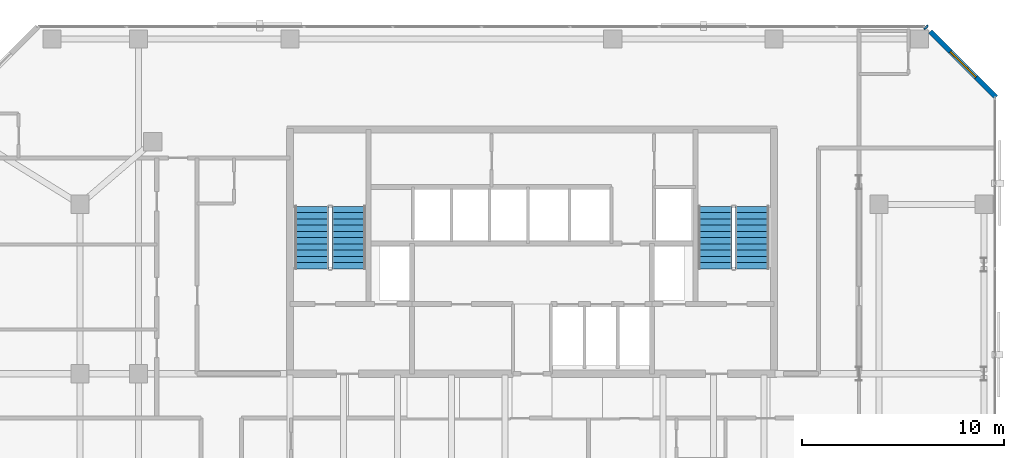
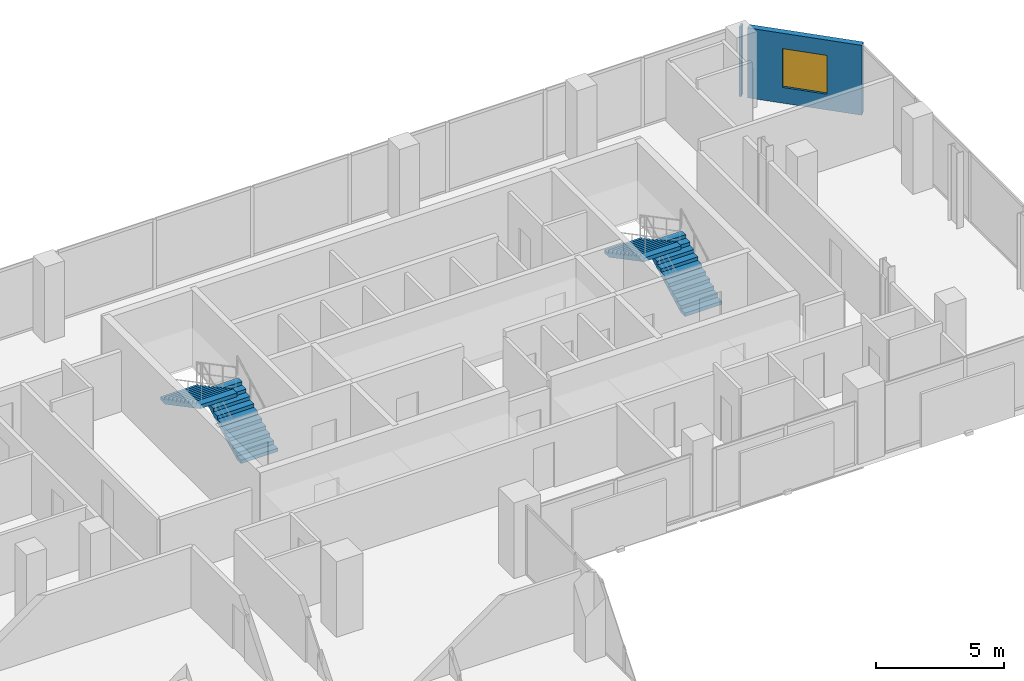
# One storey, part 31 of 34: 4 stair flights, 2 walls, 1 window, 1 opening, 2 elements without a shape of their own.
"""IFC4 building model written with IfcOpenShell, lengths in metres."""

from ifc_helpers import new_model, si_unit, direction, frame, frame_2d, origin, place, context, subcontext, project, spatial, polyline, rectangle, outline, extrude, material, layer, layer_set, type_object, element, fill, aggregate, save


model = new_model("IFC4")

# Units and contexts
model_context = context("Model", 3, precision=1e-05, world=origin(), true_north=direction((0.0, 1.0)))
body_context = subcontext(model_context, "Body", "Model", "MODEL_VIEW")
ifc_project = project(units=[si_unit("LENGTHUNIT", "METRE"), si_unit("AREAUNIT", "SQUARE_METRE"), si_unit("VOLUMEUNIT", "CUBIC_METRE"), si_unit("PLANEANGLEUNIT", "RADIAN"), si_unit("MASSUNIT", "GRAM", prefix="KILO")], contexts=[model_context])

# Site, building, storey
site_placement = place(None, origin())
site = spatial("IfcSite", under=ifc_project, at=site_placement, CompositionType="ELEMENT")
building_placement = place(site_placement, origin())
building = spatial("IfcBuilding", under=site, at=building_placement, Name="Catumbela Crestline Tower", CompositionType="ELEMENT")
storey_placement = place(building_placement, frame((0.0, 0.0, 115.2)))
storey = spatial("IfcBuildingStorey", under=building, at=storey_placement, Name="L29", CompositionType="ELEMENT", Elevation=115.2)

# Wall, opening, window
ifc_material_1 = material(Name="Angolan grey-ochre granite", Category="masonry")
ifc_layer = layer(ifc_material_1, 0.25, Name="Angolan grey-ochre granite")
ifc_layer_set = layer_set([ifc_layer], Name="Angolan grey-ochre granite")
wall_type = type_object("IfcWallType", Name="WE-250", PredefinedType="STANDARD", material=ifc_layer_set)
wall_1_placement = place(storey_placement, frame((51.0, 44.5, 0.0), z_axis=(0.0, 0.0, 1.0), x_axis=(-0.707106781187, 0.707106781187, 0.0)))
wall_1 = element("IfcWall", 1, at=wall_1_placement, inside=storey, type_object=wall_type, Name="L29 Granite Punched Window Wall 6-1", PredefinedType="STANDARD", context=body_context, shape_type="SweptSolid", body=[
    extrude(rectangle(XDim=4.6126, YDim=0.25, at=frame_2d((2.3063, 0.0))), origin(), (0.0, 0.0, 1.0), 3.33),
])
opening_placement = place(wall_1_placement, frame((1.4063, 0.0, 0.75)))
opening = element("IfcOpeningElement", 2, at=opening_placement, cuts=wall_1, Name="Opening WN-01", PredefinedType="OPENING", context=body_context, shape_type="SweptSolid", body=[
    extrude(rectangle(XDim=1.8, YDim=1.85, at=frame_2d((0.9, 0.925))), frame((0.0, 0.135, 0.0), z_axis=(0.0, -1.0, 0.0), x_axis=(1.0, 0.0, 0.0)), (0.0, 0.0, 1.0), 0.27),
])
ifc_material_2 = material(Name="Low-E laminated solar-control double glazing", Category="glass")
window_type = type_object("IfcWindowType", Name="WF-1800", PartitioningType="SINGLE_PANEL", PredefinedType="WINDOW", material=ifc_material_2)
window_placement = place(opening_placement, origin())
window = element("IfcWindow", 3, at=window_placement, inside=storey, type_object=window_type, Name="L29 Facade Vision Window 167", OverallHeight=1.85, OverallWidth=1.8, PartitioningType="SINGLE_PANEL", PredefinedType="WINDOW", context=body_context, shape_type="SweptSolid", body=[
    extrude(rectangle(XDim=1.8, YDim=1.85, at=frame_2d((0.9, 0.925))), frame((0.0, 0.03, 0.0), z_axis=(0.0, -1.0, 0.0), x_axis=(1.0, 0.0, 0.0)), (0.0, 0.0, 1.0), 0.06),
])
fill(opening, window)

# Wall
wall_2_placement = place(storey_placement, frame((47.5616, 47.9384, 0.0), z_axis=(0.0, 0.0, 1.0), x_axis=(-0.707106781187, 0.707106781187, 0.0)))
element("IfcWall", 4, at=wall_2_placement, inside=storey, type_object=wall_type, Name="L29 Granite Punched Window Wall 6-2", PredefinedType="STANDARD", context=body_context, shape_type="SweptSolid", body=[
    extrude(rectangle(XDim=0.0871, YDim=0.25, at=frame_2d((0.0436, 0.0))), origin(), (0.0, 0.0, 1.0), 3.33),
])

# Stair, stair flights
ifc_material_3 = material(Name="Concrete C45/55", Category="concrete")
stair_type = type_object("IfcStairType", Name="ST-DLG", PredefinedType="HALF_TURN_STAIR", material=ifc_material_3)
stair_1_placement = place(storey_placement, origin())
stair_1 = element("IfcStair", 5, at=stair_1_placement, inside=storey, type_object=stair_type, Name="L29 West Core Pressurised Exit Stair ST-01", PredefinedType="HALF_TURN_STAIR")
stair_flight_type = type_object("IfcStairFlightType", Name="SF-1636", PredefinedType="STRAIGHT", material=ifc_material_3)
stair_flight_1_placement = place(storey_placement, frame((18.92, 36.0, 0.0), z_axis=(0.0, 0.0, 1.0), x_axis=(0.0, 1.0, 0.0)))
stair_flight_1 = element("IfcStairFlight", 6, at=stair_flight_1_placement, type_object=stair_flight_type, Name="ST-01 flight 1", NumberOfRisers=11, NumberOfTreads=10, PredefinedType="STRAIGHT", RiserHeight=0.163636364, TreadLength=0.31, context=body_context, shape_type="SweptSolid", body=[
    extrude(outline(polyline([(0.0, 0.0), (0.0, 0.1636), (0.31, 0.1636), (0.31, 0.3273), (0.62, 0.3273), (0.62, 0.4909), (0.93, 0.4909), (0.93, 0.6545), (1.24, 0.6545), (1.24, 0.8182), (1.55, 0.8182), (1.55, 0.9818), (1.86, 0.9818), (1.86, 1.1455), (2.17, 1.1455), (2.17, 1.3091), (2.48, 1.3091), (2.48, 1.4727), (2.79, 1.4727), (2.79, 1.6364), (3.1, 1.6364), (3.1, 1.8), (3.1, 1.4554), (0.3427, 0.0), (0.0, 0.0)])), frame((0.0, 0.83, 0.0), z_axis=(0.0, -1.0, 0.0), x_axis=(1.0, 0.0, 0.0)), (0.0, 0.0, 1.0), 1.66),
])
stair_flight_2_placement = place(storey_placement, frame((17.08, 39.1, 1.8), z_axis=(0.0, 0.0, 1.0), x_axis=(0.0, -1.0, 0.0)))
stair_flight_2 = element("IfcStairFlight", 7, at=stair_flight_2_placement, type_object=stair_flight_type, Name="ST-01 flight 2", NumberOfRisers=11, NumberOfTreads=10, PredefinedType="STRAIGHT", RiserHeight=0.163636364, TreadLength=0.31, context=body_context, shape_type="SweptSolid", body=[
    extrude(outline(polyline([(0.0, 0.0), (0.0, 0.1636), (0.31, 0.1636), (0.31, 0.3273), (0.62, 0.3273), (0.62, 0.4909), (0.93, 0.4909), (0.93, 0.6545), (1.24, 0.6545), (1.24, 0.8182), (1.55, 0.8182), (1.55, 0.9818), (1.86, 0.9818), (1.86, 1.1455), (2.17, 1.1455), (2.17, 1.3091), (2.48, 1.3091), (2.48, 1.4727), (2.79, 1.4727), (2.79, 1.6364), (3.1, 1.6364), (3.1, 1.8), (3.1, 1.4554), (0.3427, 0.0), (0.0, 0.0)])), frame((0.0, 0.83, 0.0), z_axis=(0.0, -1.0, 0.0), x_axis=(1.0, 0.0, 0.0)), (0.0, 0.0, 1.0), 1.66),
])
aggregate(stair_1, [stair_flight_1, stair_flight_2])

stair_2_placement = place(storey_placement, origin())
stair_2 = element("IfcStair", 8, at=stair_2_placement, inside=storey, type_object=stair_type, Name="L29 East Core Pressurised Exit Stair ST-02", PredefinedType="HALF_TURN_STAIR")
stair_flight_3_placement = place(storey_placement, frame((38.92, 36.0, 0.0), z_axis=(0.0, 0.0, 1.0), x_axis=(0.0, 1.0, 0.0)))
stair_flight_3 = element("IfcStairFlight", 9, at=stair_flight_3_placement, type_object=stair_flight_type, Name="ST-02 flight 1", NumberOfRisers=11, NumberOfTreads=10, PredefinedType="STRAIGHT", RiserHeight=0.163636364, TreadLength=0.31, context=body_context, shape_type="SweptSolid", body=[
    extrude(outline(polyline([(0.0, 0.0), (0.0, 0.1636), (0.31, 0.1636), (0.31, 0.3273), (0.62, 0.3273), (0.62, 0.4909), (0.93, 0.4909), (0.93, 0.6545), (1.24, 0.6545), (1.24, 0.8182), (1.55, 0.8182), (1.55, 0.9818), (1.86, 0.9818), (1.86, 1.1455), (2.17, 1.1455), (2.17, 1.3091), (2.48, 1.3091), (2.48, 1.4727), (2.79, 1.4727), (2.79, 1.6364), (3.1, 1.6364), (3.1, 1.8), (3.1, 1.4554), (0.3427, 0.0), (0.0, 0.0)])), frame((0.0, 0.83, 0.0), z_axis=(0.0, -1.0, 0.0), x_axis=(1.0, 0.0, 0.0)), (0.0, 0.0, 1.0), 1.66),
])
stair_flight_4_placement = place(storey_placement, frame((37.08, 39.1, 1.8), z_axis=(0.0, 0.0, 1.0), x_axis=(0.0, -1.0, 0.0)))
stair_flight_4 = element("IfcStairFlight", 10, at=stair_flight_4_placement, type_object=stair_flight_type, Name="ST-02 flight 2", NumberOfRisers=11, NumberOfTreads=10, PredefinedType="STRAIGHT", RiserHeight=0.163636364, TreadLength=0.31, context=body_context, shape_type="SweptSolid", body=[
    extrude(outline(polyline([(0.0, 0.0), (0.0, 0.1636), (0.31, 0.1636), (0.31, 0.3273), (0.62, 0.3273), (0.62, 0.4909), (0.93, 0.4909), (0.93, 0.6545), (1.24, 0.6545), (1.24, 0.8182), (1.55, 0.8182), (1.55, 0.9818), (1.86, 0.9818), (1.86, 1.1455), (2.17, 1.1455), (2.17, 1.3091), (2.48, 1.3091), (2.48, 1.4727), (2.79, 1.4727), (2.79, 1.6364), (3.1, 1.6364), (3.1, 1.8), (3.1, 1.4554), (0.3427, 0.0), (0.0, 0.0)])), frame((0.0, 0.83, 0.0), z_axis=(0.0, -1.0, 0.0), x_axis=(1.0, 0.0, 0.0)), (0.0, 0.0, 1.0), 1.66),
])
aggregate(stair_2, [stair_flight_3, stair_flight_4])

save(model, "model.ifc")
